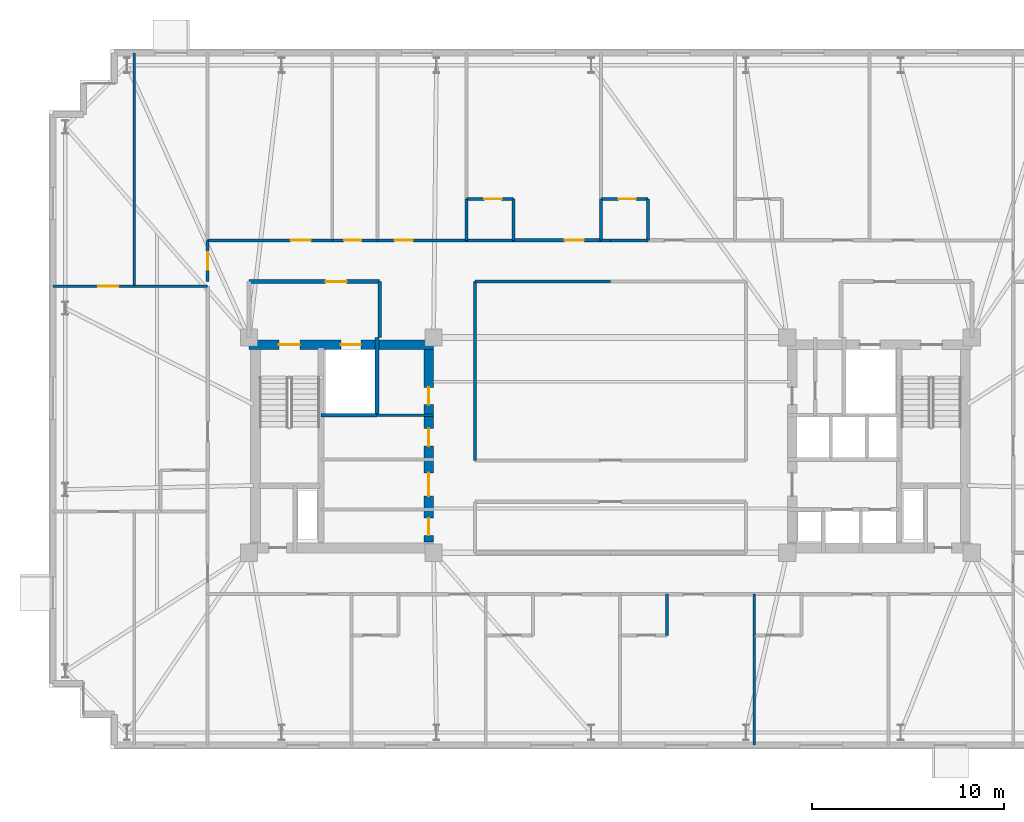
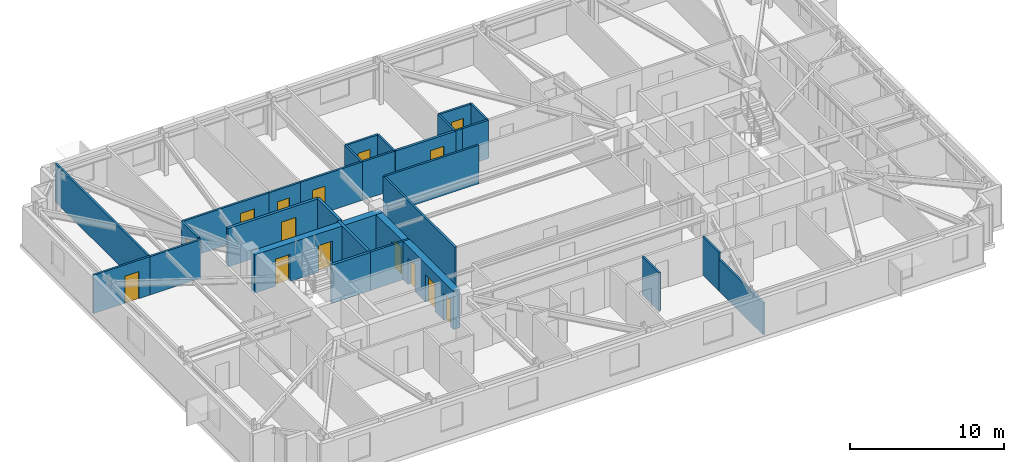
# One storey, part 12 of 17: 29 walls, 15 doors, 15 openings.
"""IFC4 building model written with IfcOpenShell, lengths in metres."""

from ifc_helpers import new_model, si_unit, direction, frame, frame_2d, origin, place, context, subcontext, project, spatial, rectangle, extrude, material, layer, layer_set, type_object, element, fill, save


model = new_model("IFC4")

# Units and contexts
model_context = context("Model", 3, precision=1e-05, world=origin(), true_north=direction((0.0, 1.0)))
body_context = subcontext(model_context, "Body", "Model", "MODEL_VIEW")
ifc_project = project(units=[si_unit("LENGTHUNIT", "METRE"), si_unit("AREAUNIT", "SQUARE_METRE"), si_unit("VOLUMEUNIT", "CUBIC_METRE"), si_unit("PLANEANGLEUNIT", "RADIAN"), si_unit("MASSUNIT", "GRAM", prefix="KILO")], contexts=[model_context])

# Site, building, storey
site_placement = place(None, origin())
site = spatial("IfcSite", under=ifc_project, at=site_placement, CompositionType="ELEMENT")
building_placement = place(site_placement, origin())
building = spatial("IfcBuilding", under=site, at=building_placement, Name="Qobustan Lattice House", CompositionType="ELEMENT")
storey_placement = place(building_placement, frame((0.0, 0.0, 161.14990234375)))
storey = spatial("IfcBuildingStorey", under=building, at=storey_placement, Name="L45", CompositionType="ELEMENT", Elevation=161.14990234375)

# Wall, openings, doors
ifc_material_1 = material(Name="Concrete C50/60", Category="concrete")
ifc_layer_1 = layer(ifc_material_1, 0.5)
ifc_layer_set_1 = layer_set([ifc_layer_1], Name="Concrete C50/60")
wall_type_1 = type_object("IfcWallType", Name="WAL-CORE-500", PredefinedType="SHEAR", material=ifc_layer_set_1)
wall_1_placement = place(storey_placement, frame((-18.800048828125, 5.2099609375, 0.0), z_axis=(0.0, 0.0, 1.0), x_axis=(1.0, 0.0, 0.0)))
wall_1 = element("IfcWall", 1, at=wall_1_placement, inside=storey, type_object=wall_type_1, Name="L45 split-core shear wall CW-N", PredefinedType="SHEAR", context=body_context, shape_type="SweptSolid", body=[
    extrude(rectangle(XDim=9.60009765625, YDim=0.5, at=frame_2d((4.800048828125, 0.0))), origin(), (0.0, 0.0, 1.0), 3.0400390625),
])
opening_1_placement = place(wall_1_placement, frame((1.550048828125, 0.0, 0.0)))
opening_1 = element("IfcOpeningElement", 2, at=opening_1_placement, cuts=wall_1, Name="Opening SD-01", PredefinedType="OPENING", context=body_context, shape_type="SweptSolid", body=[
    extrude(rectangle(XDim=1.10009765625, YDim=2.14990234375, at=frame_2d((0.550048828125, 1.074951171875))), frame((0.0, 0.260009765625, 0.0), z_axis=(0.0, -1.0, 0.0), x_axis=(1.0, 0.0, 0.0)), (0.0, 0.0, 1.0), 0.52001953125),
])
opening_2_placement = place(wall_1_placement, frame((4.77490234375, 0.0, 0.0)))
opening_2 = element("IfcOpeningElement", 3, at=opening_2_placement, cuts=wall_1, Name="Opening LD-01", PredefinedType="OPENING", context=body_context, shape_type="SweptSolid", body=[
    extrude(rectangle(XDim=1.050048828125, YDim=2.10009765625, at=frame_2d((0.52490234375, 1.050048828125))), frame((0.0, 0.260009765625, 0.0), z_axis=(0.0, -1.0, 0.0), x_axis=(1.0, 0.0, 0.0)), (0.0, 0.0, 1.0), 0.52001953125),
])
ifc_material_2 = material(Name="Persian walnut timber and steel frame door", Category="steel")
door_type_1 = type_object("IfcDoorType", Name="DOR-LIFT-LD-1050x2100", OperationType="NOTDEFINED", PredefinedType="DOOR", material=ifc_material_2)
door_1_placement = place(opening_2_placement, origin())
door_1 = element("IfcDoor", 4, at=door_1_placement, inside=storey, type_object=door_type_1, Name="L45 firefighting lift FF-W landing door", OperationType="DOUBLE_DOOR_SLIDING", OverallHeight=2.10009765625, OverallWidth=1.050048828125, PredefinedType="DOOR", context=body_context, shape_type="SweptSolid", body=[
    extrude(rectangle(XDim=1.050048828125, YDim=2.10009765625, at=frame_2d((0.52490234375, 1.050048828125))), frame((0.0, 0.02490234375, 0.0), z_axis=(0.0, -1.0, 0.0), x_axis=(1.0, 0.0, 0.0)), (0.0, 0.0, 1.0), 0.050048828125),
])
fill(opening_2, door_1)
ifc_material_3 = material(Name="Persian walnut timber and steel frame door", Category="steel")
door_type_2 = type_object("IfcDoorType", Name="DOR-STAIR-FD-1100x2150", OperationType="NOTDEFINED", PredefinedType="DOOR", material=ifc_material_3)
door_2_placement = place(opening_1_placement, origin())
door_2 = element("IfcDoor", 5, at=door_2_placement, inside=storey, type_object=door_type_2, Name="L45 exit stair ST-W1 fire door", OperationType="SINGLE_SWING_RIGHT", OverallHeight=2.14990234375, OverallWidth=1.10009765625, PredefinedType="DOOR", context=body_context, shape_type="SweptSolid", body=[
    extrude(rectangle(XDim=1.10009765625, YDim=2.14990234375, at=frame_2d((0.550048828125, 1.074951171875))), frame((0.0, 0.02490234375, 0.0), z_axis=(0.0, -1.0, 0.0), x_axis=(1.0, 0.0, 0.0)), (0.0, 0.0, 1.0), 0.050048828125),
])
fill(opening_1, door_2)

wall_2_placement = place(storey_placement, frame((-9.449951171875, -5.050048828125, 0.0), z_axis=(0.0, 0.0, 1.0), x_axis=(0.0, 1.0, 0.0)))
wall_2 = element("IfcWall", 6, at=wall_2_placement, inside=storey, type_object=wall_type_1, Name="L45 split-core shear wall CW-E", PredefinedType="SHEAR", context=body_context, shape_type="SweptSolid", body=[
    extrude(rectangle(XDim=10.10009765625, YDim=0.5, at=frame_2d((5.050048828125, 0.0))), origin(), (0.0, 0.0, 1.0), 3.0400390625),
])
opening_3_placement = place(wall_2_placement, frame((7.14990234375, 0.0, 0.0)))
opening_3 = element("IfcOpeningElement", 7, at=opening_3_placement, cuts=wall_2, Name="Opening RD-01", PredefinedType="OPENING", context=body_context, shape_type="SweptSolid", body=[
    extrude(rectangle(XDim=0.89990234375, YDim=2.10009765625, at=frame_2d((0.449951171875, 1.050048828125))), frame((0.0, 0.260009765625, 0.0), z_axis=(0.0, -1.0, 0.0), x_axis=(1.0, 0.0, 0.0)), (0.0, 0.0, 1.0), 0.52001953125),
])
opening_4_placement = place(wall_2_placement, frame((2.39990234375, 0.0, 0.0)))
opening_4 = element("IfcOpeningElement", 8, at=opening_4_placement, cuts=wall_2, Name="Opening FD-01", PredefinedType="OPENING", context=body_context, shape_type="SweptSolid", body=[
    extrude(rectangle(XDim=1.199951171875, YDim=2.14990234375, at=frame_2d((0.60009765625, 1.074951171875))), frame((0.0, 0.260009765625, 0.0), z_axis=(0.0, -1.0, 0.0), x_axis=(1.0, 0.0, 0.0)), (0.0, 0.0, 1.0), 0.52001953125),
])
opening_5_placement = place(wall_2_placement, frame((0.35009765625, 0.0, 0.0)))
opening_5 = element("IfcOpeningElement", 9, at=opening_5_placement, cuts=wall_2, Name="Opening RD-01", PredefinedType="OPENING", context=body_context, shape_type="SweptSolid", body=[
    extrude(rectangle(XDim=0.89990234375, YDim=2.10009765625, at=frame_2d((0.449951171875, 1.050048828125))), frame((0.0, 0.260009765625, 0.0), z_axis=(0.0, -1.0, 0.0), x_axis=(1.0, 0.0, 0.0)), (0.0, 0.0, 1.0), 0.52001953125),
])
opening_6_placement = place(wall_2_placement, frame((5.0, 0.0, 0.0)))
opening_6 = element("IfcOpeningElement", 10, at=opening_6_placement, cuts=wall_2, Name="Opening RD-01", PredefinedType="OPENING", context=body_context, shape_type="SweptSolid", body=[
    extrude(rectangle(XDim=0.89990234375, YDim=2.10009765625, at=frame_2d((0.449951171875, 1.050048828125))), frame((0.0, 0.260009765625, 0.0), z_axis=(0.0, -1.0, 0.0), x_axis=(1.0, 0.0, 0.0)), (0.0, 0.0, 1.0), 0.52001953125),
])
ifc_material_4 = material(Name="Persian walnut timber and steel frame door", Category="steel")
door_type_3 = type_object("IfcDoorType", Name="DOR-LOBBY-FD-1200x2150", OperationType="NOTDEFINED", PredefinedType="DOOR", material=ifc_material_4)
door_3_placement = place(opening_4_placement, origin())
door_3 = element("IfcDoor", 11, at=door_3_placement, inside=storey, type_object=door_type_3, Name="L45 West core foyer fire door", OperationType="SINGLE_SWING_RIGHT", OverallHeight=2.14990234375, OverallWidth=1.199951171875, PredefinedType="DOOR", context=body_context, shape_type="SweptSolid", body=[
    extrude(rectangle(XDim=1.199951171875, YDim=2.14990234375, at=frame_2d((0.60009765625, 1.074951171875))), frame((0.0, 0.02490234375, 0.0), z_axis=(0.0, -1.0, 0.0), x_axis=(1.0, 0.0, 0.0)), (0.0, 0.0, 1.0), 0.050048828125),
])
fill(opening_4, door_3)
ifc_material_5 = material(Name="Persian walnut timber and steel frame door", Category="steel")
door_type_4 = type_object("IfcDoorType", Name="DOR-RISER-FD-900x2100", OperationType="NOTDEFINED", PredefinedType="DOOR", material=ifc_material_5)
door_4_placement = place(opening_3_placement, origin())
door_4 = element("IfcDoor", 12, at=door_4_placement, inside=storey, type_object=door_type_4, Name="L45 Floor tea pantry fire door", OperationType="SINGLE_SWING_LEFT", OverallHeight=2.10009765625, OverallWidth=0.89990234375, PredefinedType="DOOR", context=body_context, shape_type="SweptSolid", body=[
    extrude(rectangle(XDim=0.89990234375, YDim=2.10009765625, at=frame_2d((0.449951171875, 1.050048828125))), frame((0.0, 0.02490234375, 0.0), z_axis=(0.0, -1.0, 0.0), x_axis=(1.0, 0.0, 0.0)), (0.0, 0.0, 1.0), 0.050048828125),
])
fill(opening_3, door_4)
door_5_placement = place(opening_5_placement, origin())
door_5 = element("IfcDoor", 13, at=door_5_placement, inside=storey, type_object=door_type_4, Name="L45 Tutorial seminar salon fire door", OperationType="SINGLE_SWING_LEFT", OverallHeight=2.10009765625, OverallWidth=0.89990234375, PredefinedType="DOOR", context=body_context, shape_type="SweptSolid", body=[
    extrude(rectangle(XDim=0.89990234375, YDim=2.10009765625, at=frame_2d((0.449951171875, 1.050048828125))), frame((0.0, 0.02490234375, 0.0), z_axis=(0.0, -1.0, 0.0), x_axis=(1.0, 0.0, 0.0)), (0.0, 0.0, 1.0), 0.050048828125),
])
fill(opening_5, door_5)
door_6_placement = place(opening_6_placement, origin())
door_6 = element("IfcDoor", 14, at=door_6_placement, inside=storey, type_object=door_type_4, Name="L45 Copy and tea hub fire door", OperationType="SINGLE_SWING_RIGHT", OverallHeight=2.10009765625, OverallWidth=0.89990234375, PredefinedType="DOOR", context=body_context, shape_type="SweptSolid", body=[
    extrude(rectangle(XDim=0.89990234375, YDim=2.10009765625, at=frame_2d((0.449951171875, 1.050048828125))), frame((0.0, 0.02490234375, 0.0), z_axis=(0.0, -1.0, 0.0), x_axis=(1.0, 0.0, 0.0)), (0.0, 0.0, 1.0), 0.050048828125),
])
fill(opening_6, door_6)

# Wall, opening, door
ifc_material_6 = material(Name="Gypsum fireboard acoustic partition", Category="gypsum")
ifc_layer_2 = layer(ifc_material_6, 0.179931640625)
ifc_layer_set_2 = layer_set([ifc_layer_2], Name="Gypsum fireboard acoustic partition")
wall_type_2 = type_object("IfcWallType", Name="WAL-FIRE-180", PredefinedType="PARTITIONING", material=ifc_layer_set_2)
wall_3_placement = place(storey_placement, frame((-5.032958984375, 10.64990234375, 0.0), z_axis=(0.0, 0.0, 1.0), x_axis=(1.0, 0.0, 0.0)))
wall_3 = element("IfcWall", 15, at=wall_3_placement, inside=storey, type_object=wall_type_2, Name="L45 interior partition 35", PredefinedType="PARTITIONING", context=body_context, shape_type="SweptSolid", body=[
    extrude(rectangle(XDim=4.532958984375, YDim=0.179931640625, at=frame_2d((2.2666015625, 0.0))), origin(), (0.0, 0.0, 1.0), 3.0400390625),
])
opening_7_placement = place(wall_3_placement, frame((2.656494140625, 0.0, 0.0)))
opening_7 = element("IfcOpeningElement", 16, at=opening_7_placement, cuts=wall_3, Name="Opening FD-02", PredefinedType="OPENING", context=body_context, shape_type="SweptSolid", body=[
    extrude(rectangle(XDim=1.0, YDim=2.14990234375, at=frame_2d((0.5, 1.074951171875))), frame((0.0, 0.099853515625, 0.0), z_axis=(0.0, -1.0, 0.0), x_axis=(1.0, 0.0, 0.0)), (0.0, 0.0, 1.0), 0.199951171875),
])
ifc_material_7 = material(Name="Persian walnut timber and steel frame door", Category="steel")
door_type_5 = type_object("IfcDoorType", Name="DOR-UNIT-FD-1000x2150", OperationType="NOTDEFINED", PredefinedType="DOOR", material=ifc_material_7)
door_7_placement = place(opening_7_placement, origin())
door_7 = element("IfcDoor", 17, at=door_7_placement, inside=storey, type_object=door_type_5, Name="L45 North-west floor corridor to Kitchenette and studio apartment L45-N3 door", OperationType="SINGLE_SWING_LEFT", OverallHeight=2.14990234375, OverallWidth=1.0, PredefinedType="DOOR", context=body_context, shape_type="SweptSolid", body=[
    extrude(rectangle(XDim=1.0, YDim=2.14990234375, at=frame_2d((0.5, 1.074951171875))), frame((0.0, 0.02490234375, 0.0), z_axis=(0.0, -1.0, 0.0), x_axis=(1.0, 0.0, 0.0)), (0.0, 0.0, 1.0), 0.050048828125),
])
fill(opening_7, door_7)

# Wall
ifc_material_8 = material(Name="Acoustic twin-stud gypsum partition", Category="gypsum")
ifc_layer_3 = layer(ifc_material_8, 0.14990234375)
ifc_layer_set_3 = layer_set([ifc_layer_3], Name="Acoustic twin-stud gypsum partition")
wall_type_3 = type_object("IfcWallType", Name="WAL-PART-150", PredefinedType="PARTITIONING", material=ifc_layer_set_3)
wall_4_placement = place(storey_placement, frame((-12.14990234375, 1.550048828125, 0.0), z_axis=(0.0, 0.0, 1.0), x_axis=(1.0, 0.0, 0.0)))
element("IfcWall", 18, at=wall_4_placement, inside=storey, type_object=wall_type_3, Name="L45 interior partition 6", PredefinedType="PARTITIONING", context=body_context, shape_type="SweptSolid", body=[
    extrude(rectangle(XDim=2.949951171875, YDim=0.14990234375, at=frame_2d((1.47509765625, 0.0))), origin(), (0.0, 0.0, 1.0), 3.0400390625),
])

# Wall, opening, door
wall_5_placement = place(storey_placement, frame((-20.949951171875, 8.5, 0.0), z_axis=(0.0, 0.0, 1.0), x_axis=(0.0, 1.0, 0.0)))
wall_5 = element("IfcWall", 19, at=wall_5_placement, inside=storey, type_object=wall_type_3, Name="L45 interior partition 31", PredefinedType="PARTITIONING", context=body_context, shape_type="SweptSolid", body=[
    extrude(rectangle(XDim=2.14990234375, YDim=0.14990234375, at=frame_2d((1.074951171875, 0.0))), origin(), (0.0, 0.0, 1.0), 3.0400390625),
])
opening_8_placement = place(wall_5_placement, frame((0.625, 0.0, 0.0)))
opening_8 = element("IfcOpeningElement", 20, at=opening_8_placement, cuts=wall_5, Name="Opening WD-01", PredefinedType="OPENING", context=body_context, shape_type="SweptSolid", body=[
    extrude(rectangle(XDim=0.89990234375, YDim=2.10009765625, at=frame_2d((0.449951171875, 1.050048828125))), frame((0.0, 0.0849609375, 0.0), z_axis=(0.0, -1.0, 0.0), x_axis=(1.0, 0.0, 0.0)), (0.0, 0.0, 1.0), 0.169921875),
])
ifc_material_9 = material(Name="Persian walnut timber and steel frame door", Category="steel")
door_type_6 = type_object("IfcDoorType", Name="DOR-WET-900x2100", OperationType="NOTDEFINED", PredefinedType="DOOR", material=ifc_material_9)
door_8_placement = place(opening_8_placement, origin())
door_8 = element("IfcDoor", 21, at=door_8_placement, inside=storey, type_object=door_type_6, Name="L45 North-west floor corridor to Focus study room W3B door", OperationType="SINGLE_SWING_LEFT", OverallHeight=2.10009765625, OverallWidth=0.89990234375, PredefinedType="DOOR", context=body_context, shape_type="SweptSolid", body=[
    extrude(rectangle(XDim=0.89990234375, YDim=2.10009765625, at=frame_2d((0.449951171875, 1.050048828125))), frame((0.0, 0.02490234375, 0.0), z_axis=(0.0, -1.0, 0.0), x_axis=(1.0, 0.0, 0.0)), (0.0, 0.0, 1.0), 0.050048828125),
])
fill(opening_8, door_8)

wall_6_placement = place(storey_placement, frame((-20.949951171875, 10.64990234375, 0.0), z_axis=(0.0, 0.0, 1.0), x_axis=(1.0, 0.0, 0.0)))
wall_6 = element("IfcWall", 22, at=wall_6_placement, inside=storey, type_object=wall_type_3, Name="L45 interior partition 32", PredefinedType="PARTITIONING", context=body_context, shape_type="SweptSolid", body=[
    extrude(rectangle(XDim=6.48291015625, YDim=0.14990234375, at=frame_2d((3.241455078125, 0.0))), origin(), (0.0, 0.0, 1.0), 3.0400390625),
])
opening_9_placement = place(wall_6_placement, frame((4.31884765625, 0.0, 0.0)))
opening_9 = element("IfcOpeningElement", 23, at=opening_9_placement, cuts=wall_6, Name="Opening ID-02", PredefinedType="OPENING", context=body_context, shape_type="SweptSolid", body=[
    extrude(rectangle(XDim=1.050048828125, YDim=2.14990234375, at=frame_2d((0.52490234375, 1.074951171875))), frame((0.0, 0.0849609375, 0.0), z_axis=(0.0, -1.0, 0.0), x_axis=(1.0, 0.0, 0.0)), (0.0, 0.0, 1.0), 0.169921875),
])
ifc_material_10 = material(Name="Persian walnut timber and steel frame door", Category="steel")
door_type_7 = type_object("IfcDoorType", Name="DOR-STUDY-1050x2150", OperationType="NOTDEFINED", PredefinedType="DOOR", material=ifc_material_10)
door_9_placement = place(opening_9_placement, origin())
door_9 = element("IfcDoor", 24, at=door_9_placement, inside=storey, type_object=door_type_7, Name="L45 North-west floor corridor to Focus study room N1 door", OperationType="SINGLE_SWING_RIGHT", OverallHeight=2.14990234375, OverallWidth=1.050048828125, PredefinedType="DOOR", context=body_context, shape_type="SweptSolid", body=[
    extrude(rectangle(XDim=1.050048828125, YDim=2.14990234375, at=frame_2d((0.52490234375, 1.074951171875))), frame((0.0, 0.02490234375, 0.0), z_axis=(0.0, -1.0, 0.0), x_axis=(1.0, 0.0, 0.0)), (0.0, 0.0, 1.0), 0.050048828125),
])
fill(opening_9, door_9)

wall_7_placement = place(storey_placement, frame((-12.116943359375, 10.64990234375, 0.0), z_axis=(0.0, 0.0, 1.0), x_axis=(1.0, 0.0, 0.0)))
wall_7 = element("IfcWall", 25, at=wall_7_placement, inside=storey, type_object=wall_type_3, Name="L45 interior partition 34", PredefinedType="PARTITIONING", context=body_context, shape_type="SweptSolid", body=[
    extrude(rectangle(XDim=4.634033203125, YDim=0.14990234375, at=frame_2d((2.31689453125, 0.0))), origin(), (0.0, 0.0, 1.0), 3.0400390625),
])
opening_10_placement = place(wall_7_placement, frame((0.8955078125, 0.0, 0.0)))
opening_10 = element("IfcOpeningElement", 26, at=opening_10_placement, cuts=wall_7, Name="Opening ID-01", PredefinedType="OPENING", context=body_context, shape_type="SweptSolid", body=[
    extrude(rectangle(XDim=0.949951171875, YDim=2.10009765625, at=frame_2d((0.47509765625, 1.050048828125))), frame((0.0, 0.0849609375, 0.0), z_axis=(0.0, -1.0, 0.0), x_axis=(1.0, 0.0, 0.0)), (0.0, 0.0, 1.0), 0.169921875),
])
ifc_material_11 = material(Name="Persian walnut timber and steel frame door", Category="steel")
door_type_8 = type_object("IfcDoorType", Name="DOR-ROOM-950x2100", OperationType="NOTDEFINED", PredefinedType="DOOR", material=ifc_material_11)
door_10_placement = place(opening_10_placement, origin())
door_10 = element("IfcDoor", 27, at=door_10_placement, inside=storey, type_object=door_type_8, Name="L45 North-west floor corridor to Laundry utility room door", OperationType="SINGLE_SWING_RIGHT", OverallHeight=2.10009765625, OverallWidth=0.949951171875, PredefinedType="DOOR", context=body_context, shape_type="SweptSolid", body=[
    extrude(rectangle(XDim=0.949951171875, YDim=2.10009765625, at=frame_2d((0.47509765625, 1.050048828125))), frame((0.0, 0.02490234375, 0.0), z_axis=(0.0, -1.0, 0.0), x_axis=(1.0, 0.0, 0.0)), (0.0, 0.0, 1.0), 0.050048828125),
])
fill(opening_10, door_10)

# Walls
wall_8_placement = place(storey_placement, frame((0.0, 8.5, 0.0), z_axis=(0.0, 0.0, 1.0), x_axis=(-1.0, 0.0, 0.0)))
element("IfcWall", 28, at=wall_8_placement, inside=storey, type_object=wall_type_3, Name="L45 interior partition 38", PredefinedType="PARTITIONING", context=body_context, shape_type="SweptSolid", body=[
    extrude(rectangle(XDim=7.050048828125, YDim=0.14990234375, at=frame_2d((3.52490234375, 0.0))), origin(), (0.0, 0.0, 1.0), 3.0400390625),
])
wall_9_placement = place(storey_placement, frame((-7.050048828125, 8.5, 0.0), z_axis=(0.0, 0.0, 1.0), x_axis=(0.0, -1.0, 0.0)))
element("IfcWall", 29, at=wall_9_placement, inside=storey, type_object=wall_type_3, Name="L45 interior partition 67", PredefinedType="PARTITIONING", context=body_context, shape_type="SweptSolid", body=[
    extrude(rectangle(XDim=9.300048828125, YDim=0.14990234375, at=frame_2d((4.64990234375, 0.0))), origin(), (0.0, 0.0, 1.0), 3.0400390625),
])

# Wall, opening, door
wall_10_placement = place(storey_placement, frame((-29.0, 8.260009765625, 0.0), z_axis=(0.0, 0.0, 1.0), x_axis=(1.0, 0.0, 0.0)))
wall_10 = element("IfcWall", 30, at=wall_10_placement, inside=storey, type_object=wall_type_3, Name="L45 interior partition 78", PredefinedType="PARTITIONING", context=body_context, shape_type="SweptSolid", body=[
    extrude(rectangle(XDim=4.235107421875, YDim=0.14990234375, at=frame_2d((2.11767578125, 0.0))), origin(), (0.0, 0.0, 1.0), 3.0400390625),
])
opening_11_placement = place(wall_10_placement, frame((2.351806640625, 0.0, 0.0)))
opening_11 = element("IfcOpeningElement", 31, at=opening_11_placement, cuts=wall_10, Name="Opening ID-02", PredefinedType="OPENING", context=body_context, shape_type="SweptSolid", body=[
    extrude(rectangle(XDim=1.050048828125, YDim=2.14990234375, at=frame_2d((0.52490234375, 1.074951171875))), frame((0.0, 0.0849609375, 0.0), z_axis=(0.0, -1.0, 0.0), x_axis=(1.0, 0.0, 0.0)), (0.0, 0.0, 1.0), 0.169921875),
])
door_11_placement = place(opening_11_placement, origin())
door_11 = element("IfcDoor", 32, at=door_11_placement, inside=storey, type_object=door_type_7, Name="L45 Kitchenette and studio apartment L45-W2 to Focus study room W3A door", OperationType="SINGLE_SWING_RIGHT", OverallHeight=2.14990234375, OverallWidth=1.050048828125, PredefinedType="DOOR", context=body_context, shape_type="SweptSolid", body=[
    extrude(rectangle(XDim=1.050048828125, YDim=2.14990234375, at=frame_2d((0.52490234375, 1.074951171875))), frame((0.0, 0.02490234375, 0.0), z_axis=(0.0, -1.0, 0.0), x_axis=(1.0, 0.0, 0.0)), (0.0, 0.0, 1.0), 0.050048828125),
])
fill(opening_11, door_11)

# Walls
wall_11_placement = place(storey_placement, frame((-24.764892578125, 8.260009765625, 0.0), z_axis=(0.0, 0.0, 1.0), x_axis=(1.0, 0.0, 0.0)))
element("IfcWall", 33, at=wall_11_placement, inside=storey, type_object=wall_type_3, Name="L45 interior partition 79", PredefinedType="PARTITIONING", context=body_context, shape_type="SweptSolid", body=[
    extrude(rectangle(XDim=3.81494140625, YDim=0.14990234375, at=frame_2d((1.907470703125, 0.0))), origin(), (0.0, 0.0, 1.0), 3.0400390625),
])
wall_12_placement = place(storey_placement, frame((-24.764892578125, 20.39990234375, 0.0), z_axis=(0.0, 0.0, 1.0), x_axis=(0.0, -1.0, 0.0)))
element("IfcWall", 34, at=wall_12_placement, inside=storey, type_object=wall_type_3, Name="L45 interior partition 80", PredefinedType="PARTITIONING", context=body_context, shape_type="SweptSolid", body=[
    extrude(rectangle(XDim=12.139892578125, YDim=0.14990234375, at=frame_2d((6.06982421875, 0.0))), origin(), (0.0, 0.0, 1.0), 3.0400390625),
])
wall_13_placement = place(storey_placement, frame((7.48291015625, -9.89990234375, 0.0), z_axis=(0.0, 0.0, 1.0), x_axis=(0.0, -1.0, 0.0)))
element("IfcWall", 35, at=wall_13_placement, inside=storey, type_object=wall_type_3, Name="L45 interior partition 124", PredefinedType="PARTITIONING", context=body_context, shape_type="SweptSolid", body=[
    extrude(rectangle(XDim=5.7001953125, YDim=0.14990234375, at=frame_2d((2.85009765625, 0.0))), origin(), (0.0, 0.0, 1.0), 2.525146484375),
])

# Wall, opening, door
ifc_material_12 = material(Name="Two-hour gypsum fireboard acoustic partition", Category="gypsum")
ifc_layer_4 = layer(ifc_material_12, 0.199951171875)
ifc_layer_set_4 = layer_set([ifc_layer_4], Name="Two-hour gypsum fireboard acoustic partition")
wall_type_4 = type_object("IfcWallType", Name="WAL-PROT-200", PredefinedType="PARTITIONING", material=ifc_layer_set_4)
wall_14_placement = place(storey_placement, frame((-12.0, 8.5, 0.0), z_axis=(0.0, 0.0, 1.0), x_axis=(-1.0, 0.0, 0.0)))
wall_14 = element("IfcWall", 36, at=wall_14_placement, inside=storey, type_object=wall_type_4, Name="L45 interior partition 3", PredefinedType="PARTITIONING", context=body_context, shape_type="SweptSolid", body=[
    extrude(rectangle(XDim=6.800048828125, YDim=0.199951171875, at=frame_2d((3.39990234375, 0.0))), origin(), (0.0, 0.0, 1.0), 3.0400390625),
])
opening_12_placement = place(wall_14_placement, frame((1.715087890625, 0.0, 0.0)))
opening_12 = element("IfcOpeningElement", 37, at=opening_12_placement, cuts=wall_14, Name="Opening SD-01", PredefinedType="OPENING", context=body_context, shape_type="SweptSolid", body=[
    extrude(rectangle(XDim=1.10009765625, YDim=2.14990234375, at=frame_2d((0.550048828125, 1.074951171875))), frame((0.0, 0.10986328125, 0.0), z_axis=(0.0, -1.0, 0.0), x_axis=(1.0, 0.0, 0.0)), (0.0, 0.0, 1.0), 0.219970703125),
])
door_12_placement = place(opening_12_placement, origin())
door_12 = element("IfcDoor", 38, at=door_12_placement, inside=storey, type_object=door_type_2, Name="L45 West firefighting lift lobby to North-west floor corridor door", OperationType="SINGLE_SWING_RIGHT", OverallHeight=2.14990234375, OverallWidth=1.10009765625, PredefinedType="DOOR", context=body_context, shape_type="SweptSolid", body=[
    extrude(rectangle(XDim=1.10009765625, YDim=2.14990234375, at=frame_2d((0.550048828125, 1.074951171875))), frame((0.0, 0.02490234375, 0.0), z_axis=(0.0, -1.0, 0.0), x_axis=(1.0, 0.0, 0.0)), (0.0, 0.0, 1.0), 0.050048828125),
])
fill(opening_12, door_12)

# Walls
wall_15_placement = place(storey_placement, frame((-12.0, 5.60009765625, 0.0), z_axis=(0.0, 0.0, 1.0), x_axis=(0.0, 1.0, 0.0)))
element("IfcWall", 39, at=wall_15_placement, inside=storey, type_object=wall_type_4, Name="L45 interior partition 5", PredefinedType="PARTITIONING", context=body_context, shape_type="SweptSolid", body=[
    extrude(rectangle(XDim=2.89990234375, YDim=0.199951171875, at=frame_2d((1.449951171875, 0.0))), origin(), (0.0, 0.0, 1.0), 3.0400390625),
])
ifc_material_13 = material(Name="Concrete C40/50", Category="concrete")
ifc_layer_5 = layer(ifc_material_13, 0.199951171875)
ifc_layer_set_5 = layer_set([ifc_layer_5], Name="Concrete C40/50")
wall_type_5 = type_object("IfcWallType", Name="WAL-SHAFT-200", PredefinedType="PARTITIONING", material=ifc_layer_set_5)
wall_16_placement = place(storey_placement, frame((-12.14990234375, 1.550048828125, 0.0), z_axis=(0.0, 0.0, 1.0), x_axis=(0.0, 1.0, 0.0)))
element("IfcWall", 40, at=wall_16_placement, inside=storey, type_object=wall_type_5, Name="L45 interior partition 2", PredefinedType="PARTITIONING", context=body_context, shape_type="SweptSolid", body=[
    extrude(rectangle(XDim=4.050048828125, YDim=0.199951171875, at=frame_2d((2.02490234375, 0.0))), origin(), (0.0, 0.0, 1.0), 3.0400390625),
])
wall_17_placement = place(storey_placement, frame((-15.050048828125, 1.550048828125, 0.0), z_axis=(0.0, 0.0, 1.0), x_axis=(1.0, 0.0, 0.0)))
element("IfcWall", 41, at=wall_17_placement, inside=storey, type_object=wall_type_5, Name="L45 interior partition 129", PredefinedType="PARTITIONING", context=body_context, shape_type="SweptSolid", body=[
    extrude(rectangle(XDim=2.900146484375, YDim=0.199951171875, at=frame_2d((1.4501953125, 0.0))), origin(), (0.0, 0.0, 1.0), 3.0400390625),
])

# Wall, opening, door
ifc_material_14 = material(Name="Moisture-resistant acoustic plumbing wall", Category="gypsum")
ifc_layer_6 = layer(ifc_material_14, 0.14990234375)
ifc_layer_set_6 = layer_set([ifc_layer_6], Name="Moisture-resistant acoustic plumbing wall")
wall_type_6 = type_object("IfcWallType", Name="WAL-WET-150", PredefinedType="PLUMBINGWALL", material=ifc_layer_set_6)
wall_18_placement = place(storey_placement, frame((-14.467041015625, 10.64990234375, 0.0), z_axis=(0.0, 0.0, 1.0), x_axis=(1.0, 0.0, 0.0)))
wall_18 = element("IfcWall", 42, at=wall_18_placement, inside=storey, type_object=wall_type_6, Name="L45 interior partition 33", PredefinedType="PLUMBINGWALL", context=body_context, shape_type="SweptSolid", body=[
    extrude(rectangle(XDim=2.35009765625, YDim=0.14990234375, at=frame_2d((1.175048828125, 0.0))), origin(), (0.0, 0.0, 1.0), 3.0400390625),
])
opening_13_placement = place(wall_18_placement, frame((0.6162109375, 0.0, 0.0)))
opening_13 = element("IfcOpeningElement", 43, at=opening_13_placement, cuts=wall_18, Name="Opening WD-01", PredefinedType="OPENING", context=body_context, shape_type="SweptSolid", body=[
    extrude(rectangle(XDim=0.89990234375, YDim=2.10009765625, at=frame_2d((0.449951171875, 1.050048828125))), frame((0.0, 0.0849609375, 0.0), z_axis=(0.0, -1.0, 0.0), x_axis=(1.0, 0.0, 0.0)), (0.0, 0.0, 1.0), 0.169921875),
])
door_13_placement = place(opening_13_placement, origin())
door_13 = element("IfcDoor", 44, at=door_13_placement, inside=storey, type_object=door_type_6, Name="L45 North-west floor corridor to Accessible WC door", OperationType="SINGLE_SWING_LEFT", OverallHeight=2.10009765625, OverallWidth=0.89990234375, PredefinedType="DOOR", context=body_context, shape_type="SweptSolid", body=[
    extrude(rectangle(XDim=0.89990234375, YDim=2.10009765625, at=frame_2d((0.449951171875, 1.050048828125))), frame((0.0, 0.02490234375, 0.0), z_axis=(0.0, -1.0, 0.0), x_axis=(1.0, 0.0, 0.0)), (0.0, 0.0, 1.0), 0.050048828125),
])
fill(opening_13, door_13)

# Walls
wall_19_placement = place(storey_placement, frame((-7.48291015625, 10.64990234375, 0.0), z_axis=(0.0, 0.0, 1.0), x_axis=(1.0, 0.0, 0.0)))
element("IfcWall", 45, at=wall_19_placement, inside=storey, type_object=wall_type_6, Name="L45 interior partition 36", PredefinedType="PLUMBINGWALL", context=body_context, shape_type="SweptSolid", body=[
    extrude(rectangle(XDim=2.449951171875, YDim=0.14990234375, at=frame_2d((1.22509765625, 0.0))), origin(), (0.0, 0.0, 1.0), 3.0400390625),
])
wall_20_placement = place(storey_placement, frame((-0.5, 10.64990234375, 0.0), z_axis=(0.0, 0.0, 1.0), x_axis=(1.0, 0.0, 0.0)))
element("IfcWall", 46, at=wall_20_placement, inside=storey, type_object=wall_type_6, Name="L45 interior partition 37", PredefinedType="PLUMBINGWALL", context=body_context, shape_type="SweptSolid", body=[
    extrude(rectangle(XDim=0.5, YDim=0.14990234375, at=frame_2d((0.25, 0.0))), origin(), (0.0, 0.0, 1.0), 3.0400390625),
])
wall_21_placement = place(storey_placement, frame((0.0, 10.64990234375, 0.0), z_axis=(0.0, 0.0, 1.0), x_axis=(1.0, 0.0, 0.0)))
element("IfcWall", 47, at=wall_21_placement, inside=storey, type_object=wall_type_6, Name="L45 interior partition 41", PredefinedType="PLUMBINGWALL", context=body_context, shape_type="SweptSolid", body=[
    extrude(rectangle(XDim=1.949951171875, YDim=0.14990234375, at=frame_2d((0.97509765625, 0.0))), origin(), (0.0, 0.0, 1.0), 3.0400390625),
])
wall_22_placement = place(storey_placement, frame((-7.48291015625, 12.800048828125, 0.0), z_axis=(0.0, 0.0, 1.0), x_axis=(0.0, -1.0, 0.0)))
element("IfcWall", 48, at=wall_22_placement, inside=storey, type_object=wall_type_6, Name="L45 interior partition 100", PredefinedType="PLUMBINGWALL", context=body_context, shape_type="SweptSolid", body=[
    extrude(rectangle(XDim=2.150146484375, YDim=0.14990234375, at=frame_2d((1.0751953125, 0.0))), origin(), (0.0, 0.0, 1.0), 3.0400390625),
])

# Wall, opening, door
wall_23_placement = place(storey_placement, frame((-5.032958984375, 12.800048828125, 0.0), z_axis=(0.0, 0.0, 1.0), x_axis=(-1.0, 0.0, 0.0)))
wall_23 = element("IfcWall", 49, at=wall_23_placement, inside=storey, type_object=wall_type_6, Name="L45 interior partition 101", PredefinedType="PLUMBINGWALL", context=body_context, shape_type="SweptSolid", body=[
    extrude(rectangle(XDim=2.449951171875, YDim=0.14990234375, at=frame_2d((1.22509765625, 0.0))), origin(), (0.0, 0.0, 1.0), 3.0400390625),
])
opening_14_placement = place(wall_23_placement, frame((0.628662109375, 0.0, 0.0)))
opening_14 = element("IfcOpeningElement", 50, at=opening_14_placement, cuts=wall_23, Name="Opening WD-01", PredefinedType="OPENING", context=body_context, shape_type="SweptSolid", body=[
    extrude(rectangle(XDim=0.89990234375, YDim=2.10009765625, at=frame_2d((0.449951171875, 1.050048828125))), frame((0.0, 0.0849609375, 0.0), z_axis=(0.0, -1.0, 0.0), x_axis=(1.0, 0.0, 0.0)), (0.0, 0.0, 1.0), 0.169921875),
])
door_14_placement = place(opening_14_placement, origin())
door_14 = element("IfcDoor", 51, at=door_14_placement, inside=storey, type_object=door_type_6, Name="L45 Kitchenette and studio apartment L45-N3 to En-suite bathroom L45-N3 door", OperationType="SINGLE_SWING_RIGHT", OverallHeight=2.10009765625, OverallWidth=0.89990234375, PredefinedType="DOOR", context=body_context, shape_type="SweptSolid", body=[
    extrude(rectangle(XDim=0.89990234375, YDim=2.10009765625, at=frame_2d((0.449951171875, 1.050048828125))), frame((0.0, 0.02490234375, 0.0), z_axis=(0.0, -1.0, 0.0), x_axis=(1.0, 0.0, 0.0)), (0.0, 0.0, 1.0), 0.050048828125),
])
fill(opening_14, door_14)

# Walls
for number, where, z_axis, x_axis, name in (
    (52, (-5.032958984375, 10.64990234375, 0.0), (0.0, 0.0, 1.0), (0.0, 1.0, 0.0), "L45 interior partition 102"),
    (53, (-0.5, 12.800048828125, 0.0), (0.0, 0.0, 1.0), (0.0, -1.0, 0.0), "L45 interior partition 104"),
):
    element("IfcWall", number, at=place(storey_placement, frame(where, z_axis=z_axis, x_axis=x_axis)), inside=storey, type_object=wall_type_6, Name=name, PredefinedType="PLUMBINGWALL", context=body_context, shape_type="SweptSolid", body=[
        extrude(rectangle(XDim=2.150146484375, YDim=0.14990234375, at=frame_2d((1.0751953125, 0.0))), origin(), (0.0, 0.0, 1.0), 3.0400390625),
    ])

# Wall, opening, door
wall_24_placement = place(storey_placement, frame((1.949951171875, 12.800048828125, 0.0), z_axis=(0.0, 0.0, 1.0), x_axis=(-1.0, 0.0, 0.0)))
wall_24 = element("IfcWall", 54, at=wall_24_placement, inside=storey, type_object=wall_type_6, Name="L45 interior partition 105", PredefinedType="PLUMBINGWALL", context=body_context, shape_type="SweptSolid", body=[
    extrude(rectangle(XDim=2.449951171875, YDim=0.14990234375, at=frame_2d((1.22509765625, 0.0))), origin(), (0.0, 0.0, 1.0), 3.0400390625),
])
opening_15_placement = place(wall_24_placement, frame((0.62890625, 0.0, 0.0)))
opening_15 = element("IfcOpeningElement", 55, at=opening_15_placement, cuts=wall_24, Name="Opening WD-01", PredefinedType="OPENING", context=body_context, shape_type="SweptSolid", body=[
    extrude(rectangle(XDim=0.89990234375, YDim=2.10009765625, at=frame_2d((0.449951171875, 1.050048828125))), frame((0.0, 0.0849609375, 0.0), z_axis=(0.0, -1.0, 0.0), x_axis=(1.0, 0.0, 0.0)), (0.0, 0.0, 1.0), 0.169921875),
])
door_15_placement = place(opening_15_placement, origin())
door_15 = element("IfcDoor", 56, at=door_15_placement, inside=storey, type_object=door_type_6, Name="L45 Kitchenette and studio apartment L45-N4 to En-suite bathroom L45-N4 door", OperationType="SINGLE_SWING_LEFT", OverallHeight=2.10009765625, OverallWidth=0.89990234375, PredefinedType="DOOR", context=body_context, shape_type="SweptSolid", body=[
    extrude(rectangle(XDim=0.89990234375, YDim=2.10009765625, at=frame_2d((0.449951171875, 1.050048828125))), frame((0.0, 0.02490234375, 0.0), z_axis=(0.0, -1.0, 0.0), x_axis=(1.0, 0.0, 0.0)), (0.0, 0.0, 1.0), 0.050048828125),
])
fill(opening_15, door_15)

# Walls
wall_25_placement = place(storey_placement, frame((1.949951171875, 10.64990234375, 0.0), z_axis=(0.0, 0.0, 1.0), x_axis=(0.0, 1.0, 0.0)))
element("IfcWall", 57, at=wall_25_placement, inside=storey, type_object=wall_type_6, Name="L45 interior partition 106", PredefinedType="PLUMBINGWALL", context=body_context, shape_type="SweptSolid", body=[
    extrude(rectangle(XDim=2.150146484375, YDim=0.14990234375, at=frame_2d((1.0751953125, 0.0))), origin(), (0.0, 0.0, 1.0), 3.0400390625),
])
for number, where, z_axis, x_axis, name in (
    (58, (2.949951171875, -9.89990234375, 0.0), (0.0, 0.0, 1.0), (0.0, 1.0, 0.0), "L45 interior partition 123"),
    (59, (7.48291015625, -7.75, 0.0), (0.0, 0.0, 1.0), (0.0, -1.0, 0.0), "L45 interior partition 125"),
):
    element("IfcWall", number, at=place(storey_placement, frame(where, z_axis=z_axis, x_axis=x_axis)), inside=storey, type_object=wall_type_6, Name=name, PredefinedType="PLUMBINGWALL", context=body_context, shape_type="SweptSolid", body=[
        extrude(rectangle(XDim=2.14990234375, YDim=0.14990234375, at=frame_2d((1.074951171875, 0.0))), origin(), (0.0, 0.0, 1.0), 3.0400390625),
    ])

save(model, "model.ifc")
